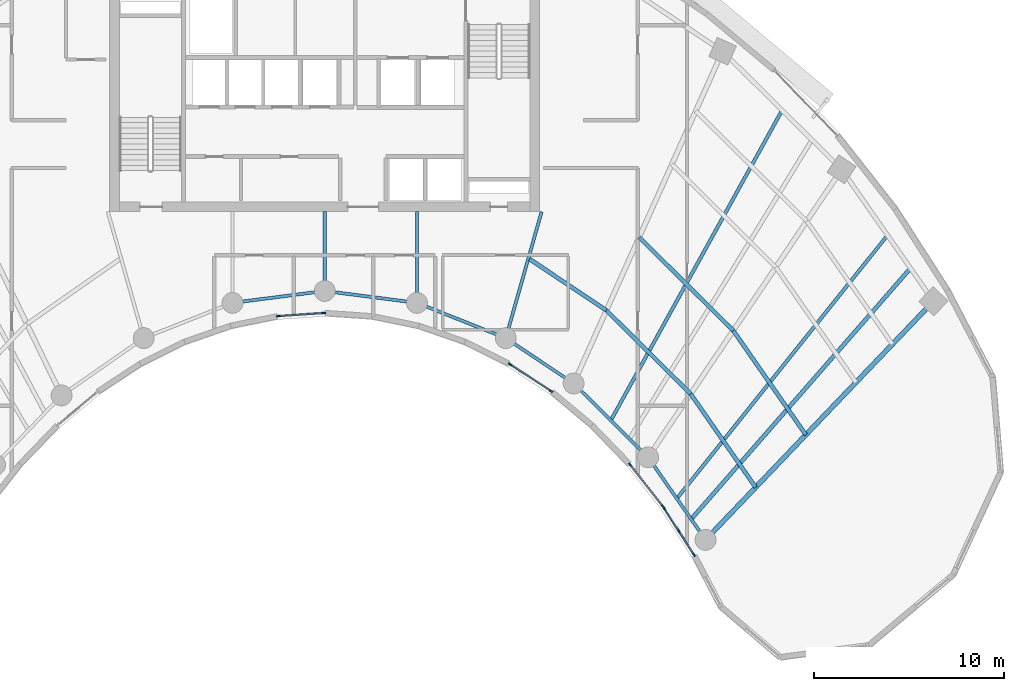
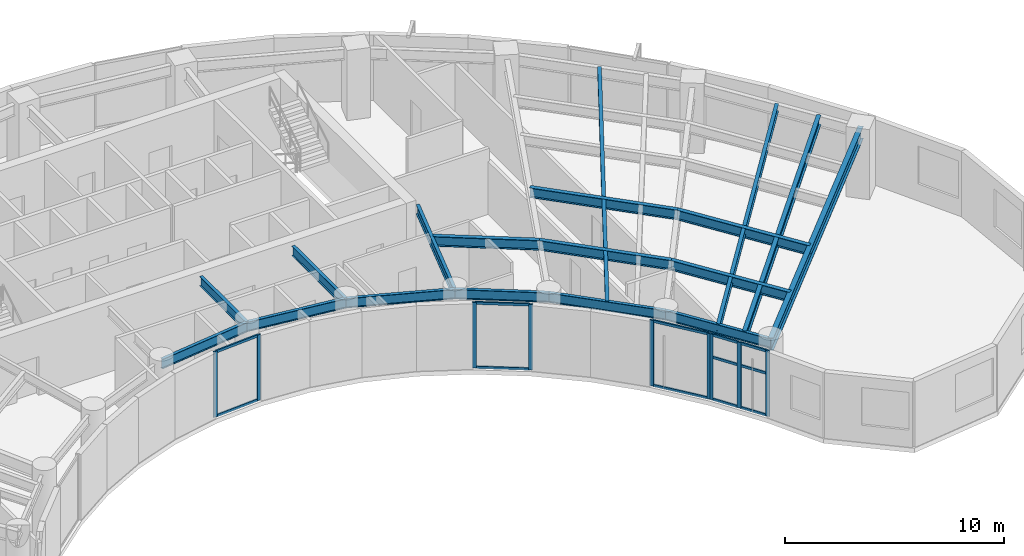
# One storey, part 3 of 13: 21 members, 18 beams, 4 elements without a shape of their own.
"""IFC4 building model written with IfcOpenShell, lengths in metres."""

from ifc_helpers import new_model, si_unit, direction, frame, origin, origin_2d, place, context, subcontext, project, spatial, rectangle, i_section, extrude, source, transform, mapped, material, layer, layer_set, material_profile, profile_set, type_object, type_shapes, element, aggregate, save


model = new_model("IFC4")

# Units and contexts
model_context = context("Model", 3, precision=1e-05, world=origin(), true_north=direction((0.0, 1.0)))
body_context = subcontext(model_context, "Body", "Model", "MODEL_VIEW")
ifc_project = project(units=[si_unit("LENGTHUNIT", "METRE"), si_unit("AREAUNIT", "SQUARE_METRE"), si_unit("VOLUMEUNIT", "CUBIC_METRE"), si_unit("PLANEANGLEUNIT", "RADIAN"), si_unit("MASSUNIT", "GRAM", prefix="KILO")], contexts=[model_context])

# Site, building, storey
site_placement = place(None, origin())
site = spatial("IfcSite", under=ifc_project, at=site_placement, CompositionType="ELEMENT")
building_placement = place(site_placement, origin())
building = spatial("IfcBuilding", under=site, at=building_placement, Name="Breltana Convention Tower", CompositionType="ELEMENT")
storey_placement = place(building_placement, frame((0.0, 0.0, 170.10009765625)))
storey = spatial("IfcBuildingStorey", under=building, at=storey_placement, Name="L41", CompositionType="ELEMENT", Elevation=170.10009765625)

# Beams
ifc_material_1 = material(Name="Steel ASTM A992 Grade 50", Category="steel")
ifc_material_profile_1 = material_profile(ifc_material_1, i_section(OverallWidth=0.179931640625, OverallDepth=0.4130859375, WebThickness=0.009765625, FlangeThickness=0.01611328125, at=origin_2d()), Name="W16X50")
ifc_profile_set_1 = profile_set([ifc_material_profile_1], Name="Steel ASTM A992 Grade 50")
beam_type_1 = type_object("IfcBeamType", Name="BM-JSG-08", PredefinedType="JOIST", material=ifc_profile_set_1)
shared_shape_1 = source(origin(), body_context, "Body", "SweptSolid", [
    extrude(i_section(OverallWidth=0.179931640625, OverallDepth=0.4130859375, WebThickness=0.009765625, FlangeThickness=0.01611328125, at=origin_2d()), origin(), (0.0, 0.0, 1.0), 18.617431640625),
])
beam_1_placement = place(storey_placement, frame((63.038818359375, 49.234130859375, 3.443359375), z_axis=(0.483405602507, 0.875396495004, 0.0), x_axis=(-0.875396495004, 0.483405602507, 0.0)))
element("IfcBeam", 1, at=beam_1_placement, inside=storey, type_object=beam_type_1, Name="L41 Mid-Bay Radial Trimmer 09", PredefinedType="JOIST", context=body_context, shape_type="MappedRepresentation", body=[
    mapped(shared_shape_1, transform((0.0, 0.0, 0.0), scale=1.0)),
])
shared_shape_2 = source(origin(), body_context, "Body", "SweptSolid", [
    extrude(i_section(OverallWidth=0.179931640625, OverallDepth=0.4130859375, WebThickness=0.009765625, FlangeThickness=0.01611328125, at=origin_2d()), origin(), (0.0, 0.0, 1.0), 17.7236328125),
])
beam_2_placement = place(storey_placement, frame((66.505615234375, 45.124267578125, 3.443359375), z_axis=(0.624829427563, 0.78076128647, 0.0), x_axis=(-0.78076128647, 0.624829427563, 0.0)))
element("IfcBeam", 2, at=beam_2_placement, inside=storey, type_object=beam_type_1, Name="L41 Mid-Bay Radial Trimmer 10", PredefinedType="JOIST", context=body_context, shape_type="MappedRepresentation", body=[
    mapped(shared_shape_2, transform((0.0, 0.0, 0.0), scale=1.0)),
])
ifc_material_profile_2 = material_profile(ifc_material_1, i_section(OverallWidth=0.214111328125, OverallDepth=0.549072265625, WebThickness=0.0146484375, FlangeThickness=0.023681640625, at=origin_2d()), Name="W21X93")
ifc_profile_set_2 = profile_set([ifc_material_profile_2], Name="Steel ASTM A992 Grade 50")
beam_type_2 = type_object("IfcBeamType", Name="BM-JSG-03", PredefinedType="JOIST", material=ifc_profile_set_2)
shared_shape_3 = source(origin(), body_context, "Body", "SweptSolid", [
    extrude(i_section(OverallWidth=0.214111328125, OverallDepth=0.549072265625, WebThickness=0.0146484375, FlangeThickness=0.023681640625, at=origin_2d()), origin(), (0.0, 0.0, 1.0), 17.515625),
])
beam_3_placement = place(storey_placement, frame((67.260498046875, 44.03955078125, 3.37548828125), z_axis=(0.658051548324, 0.752972881151, 0.0), x_axis=(-0.752972881151, 0.658051548324, 0.0)))
element("IfcBeam", 3, at=beam_3_placement, inside=storey, type_object=beam_type_2, Name="L41 Quarter-Bay Radial Trimmer 10", PredefinedType="JOIST", context=body_context, shape_type="MappedRepresentation", body=[
    mapped(shared_shape_3, transform((0.0, 0.0, 0.0), scale=1.0)),
])
shared_shape_4 = source(origin(), body_context, "Body", "SweptSolid", [
    extrude(i_section(OverallWidth=0.214111328125, OverallDepth=0.549072265625, WebThickness=0.0146484375, FlangeThickness=0.023681640625, at=origin_2d()), origin(), (0.0, 0.0, 1.0), 4.854736328125),
])
beam_4_placement = place(storey_placement, frame((58.767578125, 57.71240234375, 3.37548828125), z_axis=(0.831485074305, -0.555547091801, 0.0), x_axis=(0.555547091801, 0.831485074305, 0.0)))
element("IfcBeam", 4, at=beam_4_placement, inside=storey, type_object=beam_type_2, Name="L41 Composite Floor Joist 08.1", PredefinedType="JOIST", context=body_context, shape_type="MappedRepresentation", body=[
    mapped(shared_shape_4, transform((0.0, 0.0, 0.0), scale=1.0)),
])
shared_shape_5 = source(origin(), body_context, "Body", "SweptSolid", [
    extrude(i_section(OverallWidth=0.214111328125, OverallDepth=0.549072265625, WebThickness=0.0146484375, FlangeThickness=0.023681640625, at=origin_2d()), origin(), (0.0, 0.0, 1.0), 6.2373046875),
])
beam_5_placement = place(storey_placement, frame((62.80419921875, 55.015380859375, 3.37548828125), z_axis=(0.710114292485, -0.704086423394, 0.0), x_axis=(0.704086423394, 0.710114292485, 0.0)))
element("IfcBeam", 5, at=beam_5_placement, inside=storey, type_object=beam_type_2, Name="L41 Composite Floor Joist 09.1", PredefinedType="JOIST", context=body_context, shape_type="MappedRepresentation", body=[
    mapped(shared_shape_5, transform((0.0, 0.0, 0.0), scale=1.0)),
])
shared_shape_6 = source(origin(), body_context, "Body", "SweptSolid", [
    extrude(i_section(OverallWidth=0.214111328125, OverallDepth=0.549072265625, WebThickness=0.0146484375, FlangeThickness=0.023681640625, at=origin_2d()), origin(), (0.0, 0.0, 1.0), 6.963134765625),
])
beam_6_placement = place(storey_placement, frame((64.526611328125, 58.8564453125, 3.37548828125), z_axis=(0.71009817493, -0.704102678564, 0.0), x_axis=(0.704102678564, 0.71009817493, 0.0)))
element("IfcBeam", 6, at=beam_6_placement, inside=storey, type_object=beam_type_2, Name="L41 Composite Floor Joist 09.2", PredefinedType="JOIST", context=body_context, shape_type="MappedRepresentation", body=[
    mapped(shared_shape_6, transform((0.0, 0.0, 0.0), scale=1.0)),
])
shared_shape_7 = source(origin(), body_context, "Body", "SweptSolid", [
    extrude(i_section(OverallWidth=0.214111328125, OverallDepth=0.549072265625, WebThickness=0.0146484375, FlangeThickness=0.023681640625, at=origin_2d()), origin(), (0.0, 0.0, 1.0), 5.982421875),
])
beam_7_placement = place(storey_placement, frame((67.2333984375, 50.623779296875, 3.37548828125), z_axis=(0.571211549446, -0.82080287876, 0.0), x_axis=(0.82080287876, 0.571211549446, 0.0)))
element("IfcBeam", 7, at=beam_7_placement, inside=storey, type_object=beam_type_2, Name="L41 Composite Floor Joist 10.1", PredefinedType="JOIST", context=body_context, shape_type="MappedRepresentation", body=[
    mapped(shared_shape_7, transform((0.0, 0.0, 0.0), scale=1.0)),
])
shared_shape_8 = source(origin(), body_context, "Body", "SweptSolid", [
    extrude(i_section(OverallWidth=0.214111328125, OverallDepth=0.549072265625, WebThickness=0.0146484375, FlangeThickness=0.023681640625, at=origin_2d()), origin(), (0.0, 0.0, 1.0), 6.677978515625),
])
beam_8_placement = place(storey_placement, frame((69.47119140625, 53.95361328125, 3.37548828125), z_axis=(0.571193018768, -0.820815774282, 0.0), x_axis=(0.820815774282, 0.571193018768, 0.0)))
element("IfcBeam", 8, at=beam_8_placement, inside=storey, type_object=beam_type_2, Name="L41 Composite Floor Joist 10.2", PredefinedType="JOIST", context=body_context, shape_type="MappedRepresentation", body=[
    mapped(shared_shape_8, transform((0.0, 0.0, 0.0), scale=1.0)),
])
ifc_material_profile_3 = material_profile(ifc_material_1, i_section(OverallWidth=0.25390625, OverallDepth=0.68798828125, WebThickness=0.01318359375, FlangeThickness=0.02099609375, at=origin_2d()), Name="W27X102")
ifc_profile_set_3 = profile_set([ifc_material_profile_3], Name="Steel ASTM A992 Grade 50")
beam_type_3 = type_object("IfcBeamType", Name="BM-RG-W27X102", PredefinedType="USERDEFINED", material=ifc_profile_set_3)
shared_shape_9 = source(origin(), body_context, "Body", "SweptSolid", [
    extrude(i_section(OverallWidth=0.25390625, OverallDepth=0.68798828125, WebThickness=0.01318359375, FlangeThickness=0.02099609375, at=origin_2d()), origin(), (0.0, 0.0, 1.0), 17.341064453125),
])
type_shapes(beam_type_3, [shared_shape_9])
beam_9_placement = place(storey_placement, frame((68.015380859375, 42.95458984375, 3.305908203125), z_axis=(0.690716462293, 0.723125693581, 0.0), x_axis=(-0.723125693581, 0.690716462293, 0.0)))
element("IfcBeam", 9, at=beam_9_placement, inside=storey, type_object=beam_type_3, Name="L41 Radial Floor Girder R11", ObjectType="GIRDER", PredefinedType="USERDEFINED", context=body_context, shape_type="MappedRepresentation", body=[
    mapped(shared_shape_9, transform((0.0, 0.0, 0.0), scale=1.0)),
])
ifc_material_profile_4 = material_profile(ifc_material_1, i_section(OverallWidth=0.166015625, OverallDepth=0.534912109375, WebThickness=0.01025390625, FlangeThickness=0.0166015625, at=origin_2d()), Name="W21X57")
ifc_profile_set_4 = profile_set([ifc_material_profile_4], Name="Steel ASTM A992 Grade 50")
beam_type_4 = type_object("IfcBeamType", Name="BM-BM-W21X57", PredefinedType="BEAM", material=ifc_profile_set_4)
shared_shape_10 = source(origin(), body_context, "Body", "SweptSolid", [
    extrude(i_section(OverallWidth=0.166015625, OverallDepth=0.534912109375, WebThickness=0.01025390625, FlangeThickness=0.0166015625, at=origin_2d()), origin(), (0.0, 0.0, 1.0), 6.904541015625),
])
type_shapes(beam_type_4, [shared_shape_10])
beam_10_placement = place(storey_placement, frame((59.39990234375, 60.199951171875, 3.38232421875), z_axis=(-0.273006781054, -0.962012108811, 0.0), x_axis=(0.962012108811, -0.273006781054, 0.0)))
element("IfcBeam", 10, at=beam_10_placement, inside=storey, type_object=beam_type_4, Name="L41 South Core Tie Girder R08", PredefinedType="BEAM", context=body_context, shape_type="MappedRepresentation", body=[
    mapped(shared_shape_10, transform((0.0, 0.0, 0.0), scale=1.0)),
])
shared_shape_11 = source(origin(), body_context, "Body", "SweptSolid", [
    extrude(i_section(OverallWidth=0.166015625, OverallDepth=0.534912109375, WebThickness=0.01025390625, FlangeThickness=0.0166015625, at=origin_2d()), origin(), (0.0, 0.0, 1.0), 4.789306640625),
])
beam_11_placement = place(storey_placement, frame((52.846435546875, 60.199951171875, 3.38232421875), z_axis=(0.0, -1.0, 0.0), x_axis=(1.0, 0.0, 0.0)))
element("IfcBeam", 11, at=beam_11_placement, inside=storey, type_object=beam_type_4, Name="L41 South Core Tie Girder R07", PredefinedType="BEAM", context=body_context, shape_type="MappedRepresentation", body=[
    mapped(shared_shape_11, transform((0.0, 0.0, 0.0), scale=1.0)),
])
shared_shape_12 = source(origin(), body_context, "Body", "SweptSolid", [
    extrude(i_section(OverallWidth=0.166015625, OverallDepth=0.534912109375, WebThickness=0.01025390625, FlangeThickness=0.0166015625, at=origin_2d()), origin(), (0.0, 0.0, 1.0), 4.1640625),
])
beam_12_placement = place(storey_placement, frame((48.0, 60.199951171875, 3.38232421875), z_axis=(0.0, -1.0, 0.0), x_axis=(1.0, 0.0, 0.0)))
element("IfcBeam", 12, at=beam_12_placement, inside=storey, type_object=beam_type_4, Name="L41 South Core Tie Girder R06", PredefinedType="BEAM", context=body_context, shape_type="MappedRepresentation", body=[
    mapped(shared_shape_12, transform((0.0, 0.0, 0.0), scale=1.0)),
])
shared_shape_13 = source(origin(), body_context, "Body", "SweptSolid", [
    extrude(i_section(OverallWidth=0.166015625, OverallDepth=0.534912109375, WebThickness=0.01025390625, FlangeThickness=0.0166015625, at=origin_2d()), origin(), (0.0, 0.0, 1.0), 5.022705078125),
])
beam_13_placement = place(storey_placement, frame((52.846435546875, 55.41064453125, 3.38232421875), z_axis=(0.929458966248, -0.368925507469, 0.0), x_axis=(0.368925507469, 0.929458966248, 0.0)))
element("IfcBeam", 13, at=beam_13_placement, inside=storey, type_object=beam_type_4, Name="L41 Inner Ring Beam 07", PredefinedType="BEAM", context=body_context, shape_type="MappedRepresentation", body=[
    mapped(shared_shape_13, transform((0.0, 0.0, 0.0), scale=1.0)),
])
shared_shape_14 = source(origin(), body_context, "Body", "SweptSolid", [
    extrude(i_section(OverallWidth=0.166015625, OverallDepth=0.534912109375, WebThickness=0.01025390625, FlangeThickness=0.0166015625, at=origin_2d()), origin(), (0.0, 0.0, 1.0), 4.88671875),
])
for number, where, z_axis, x_axis, name in (
    (14, (43.153564453125, 55.41064453125, 3.38232421875), (0.991780525565, 0.127950729231, 0.0), (-0.127950729231, 0.991780525565, 0.0), "L41 Inner Ring Beam 05"),
    (15, (48.0, 56.035888671875, 3.38232421875), (0.991780525565, -0.127950729231, 0.0), (0.127950729231, 0.991780525565, 0.0), "L41 Inner Ring Beam 06"),
):
    element("IfcBeam", number, at=place(storey_placement, frame(where, z_axis=z_axis, x_axis=x_axis)), inside=storey, type_object=beam_type_4, Name=name, PredefinedType="BEAM", context=body_context, shape_type="MappedRepresentation", body=[
        mapped(shared_shape_14, transform((0.0, 0.0, 0.0), scale=1.0)),
    ])
shared_shape_15 = source(origin(), body_context, "Body", "SweptSolid", [
    extrude(i_section(OverallWidth=0.166015625, OverallDepth=0.534912109375, WebThickness=0.01025390625, FlangeThickness=0.0166015625, at=origin_2d()), origin(), (0.0, 0.0, 1.0), 4.2900390625),
])
beam_14_placement = place(storey_placement, frame((57.514892578125, 53.5576171875, 3.38232421875), z_axis=(0.831515827753, -0.555501060482, 0.0), x_axis=(0.555501060482, 0.831515827753, 0.0)))
element("IfcBeam", 16, at=beam_14_placement, inside=storey, type_object=beam_type_4, Name="L41 Inner Ring Beam 08", PredefinedType="BEAM", context=body_context, shape_type="MappedRepresentation", body=[
    mapped(shared_shape_15, transform((0.0, 0.0, 0.0), scale=1.0)),
])
shared_shape_16 = source(origin(), body_context, "Body", "SweptSolid", [
    extrude(i_section(OverallWidth=0.166015625, OverallDepth=0.534912109375, WebThickness=0.01025390625, FlangeThickness=0.0166015625, at=origin_2d()), origin(), (0.0, 0.0, 1.0), 5.51171875),
])
beam_15_placement = place(storey_placement, frame((61.08203125, 51.174560546875, 3.38232421875), z_axis=(0.710090360749, -0.704110559196, 0.0), x_axis=(0.704110559196, 0.710090360749, 0.0)))
element("IfcBeam", 17, at=beam_15_placement, inside=storey, type_object=beam_type_4, Name="L41 Inner Ring Beam 09", PredefinedType="BEAM", context=body_context, shape_type="MappedRepresentation", body=[
    mapped(shared_shape_16, transform((0.0, 0.0, 0.0), scale=1.0)),
])
shared_shape_17 = source(origin(), body_context, "Body", "SweptSolid", [
    extrude(i_section(OverallWidth=0.166015625, OverallDepth=0.534912109375, WebThickness=0.01025390625, FlangeThickness=0.0166015625, at=origin_2d()), origin(), (0.0, 0.0, 1.0), 5.286376953125),
])
beam_16_placement = place(storey_placement, frame((64.995849609375, 47.293701171875, 3.38232421875), z_axis=(0.571194382458, -0.82081482531, 0.0), x_axis=(0.82081482531, 0.571194382458, 0.0)))
element("IfcBeam", 18, at=beam_16_placement, inside=storey, type_object=beam_type_4, Name="L41 Inner Ring Beam 10", PredefinedType="BEAM", context=body_context, shape_type="MappedRepresentation", body=[
    mapped(shared_shape_17, transform((0.0, 0.0, 0.0), scale=1.0)),
])

# Curtain wall, members
ifc_material_2 = material(Name="Aluminium Anodised Bronze Frame", Category="aluminium")
ifc_layer = layer(ifc_material_2, 0.18994140625, Name="Aluminium Anodised Bronze Frame")
ifc_layer_set = layer_set([ifc_layer], Name="Aluminium Anodised Bronze Frame")
curtain_wall_type = type_object("IfcCurtainWallType", Name="CW-SYS-1", PredefinedType="NOTDEFINED", material=ifc_layer_set)
curtain_wall_1_placement = place(storey_placement, origin())
curtain_wall_1 = element("IfcCurtainWall", 19, at=curtain_wall_1_placement, inside=storey, type_object=curtain_wall_type, Name="L41 inner south-court glazing 1", PredefinedType="NOTDEFINED")
ifc_material_3 = material(Name="Aluminium Anodised Bronze", Category="aluminium")
ifc_material_profile_5 = material_profile(ifc_material_3, rectangle(XDim=0.080078125, YDim=0.199951171875, at=origin_2d()), Name="CWM-80X200")
ifc_profile_set_5 = profile_set([ifc_material_profile_5], Name="Aluminium Anodised Bronze")
member_type_1 = type_object("IfcMemberType", Name="CWM-200", PredefinedType="MULLION", material=ifc_profile_set_5)
shared_shape_18 = source(origin(), body_context, "Body", "SweptSolid", [
    extrude(rectangle(XDim=0.080078125, YDim=0.199951171875, at=origin_2d()), origin(), (0.0, 0.0, 1.0), 3.64990234375),
])
member_1_placement = place(storey_placement, frame((67.40966796875, 42.17041015625, 0.0), z_axis=(0.0, 0.0, 1.0), x_axis=(-0.841546744491, -0.540184298954, 0.0)))
member_1 = element("IfcMember", 20, at=member_1_placement, type_object=member_type_1, Name="CW-01 mullion 1", PredefinedType="MULLION", context=body_context, shape_type="MappedRepresentation", body=[
    mapped(shared_shape_18, transform((0.0, 0.0, 0.0), scale=1.0)),
])
member_2_placement = place(storey_placement, frame((66.626220703125, 43.390869140625, 0.0), z_axis=(0.0, 0.0, 1.0), x_axis=(-0.841546744491, -0.540184298954, 0.0)))
member_2 = element("IfcMember", 21, at=member_2_placement, type_object=member_type_1, Name="CW-01 mullion 2", PredefinedType="MULLION", context=body_context, shape_type="MappedRepresentation", body=[
    mapped(shared_shape_18, transform((0.0, 0.0, 0.0), scale=1.0)),
])
member_3_placement = place(storey_placement, frame((65.843017578125, 44.611328125, 0.0), z_axis=(0.0, 0.0, 1.0), x_axis=(-0.841546744491, -0.540184298954, 0.0)))
member_3 = element("IfcMember", 22, at=member_3_placement, type_object=member_type_1, Name="CW-01 mullion 3", PredefinedType="MULLION", context=body_context, shape_type="MappedRepresentation", body=[
    mapped(shared_shape_18, transform((0.0, 0.0, 0.0), scale=1.0)),
])

curtain_wall_2_placement = place(storey_placement, origin())
curtain_wall_2 = element("IfcCurtainWall", 23, at=curtain_wall_2_placement, inside=storey, type_object=curtain_wall_type, Name="L41 inner south-court glazing 2", PredefinedType="NOTDEFINED")
member_4_placement = place(storey_placement, frame((65.78662109375, 44.6904296875, 0.0), z_axis=(0.0, 0.0, 1.0), x_axis=(-0.786051168431, -0.618161435717, 0.0)))
member_4 = element("IfcMember", 24, at=member_4_placement, type_object=member_type_1, Name="CW-01 mullion 1", PredefinedType="MULLION", context=body_context, shape_type="MappedRepresentation", body=[
    mapped(shared_shape_18, transform((0.0, 0.0, 0.0), scale=1.0)),
])
member_5_placement = place(storey_placement, frame((64.045166015625, 46.905029296875, 0.0), z_axis=(0.0, 0.0, 1.0), x_axis=(-0.786051168431, -0.618161435717, 0.0)))
member_5 = element("IfcMember", 25, at=member_5_placement, type_object=member_type_1, Name="CW-01 mullion 2", PredefinedType="MULLION", context=body_context, shape_type="MappedRepresentation", body=[
    mapped(shared_shape_18, transform((0.0, 0.0, 0.0), scale=1.0)),
])

curtain_wall_3_placement = place(storey_placement, origin())
curtain_wall_3 = element("IfcCurtainWall", 26, at=curtain_wall_3_placement, inside=storey, type_object=curtain_wall_type, Name="L41 inner south-court glazing 3", PredefinedType="NOTDEFINED")
member_6_placement = place(storey_placement, frame((59.894775390625, 50.76904296875, 0.0), z_axis=(0.0, 0.0, 1.0), x_axis=(-0.548751973252, -0.835985210307, 0.0)))
member_6 = element("IfcMember", 27, at=member_6_placement, type_object=member_type_1, Name="CW-01 mullion 1", PredefinedType="MULLION", context=body_context, shape_type="MappedRepresentation", body=[
    mapped(shared_shape_18, transform((0.0, 0.0, 0.0), scale=1.0)),
])
member_7_placement = place(storey_placement, frame((57.744384765625, 52.1806640625, 0.0), z_axis=(0.0, 0.0, 1.0), x_axis=(-0.548751973252, -0.835985210307, 0.0)))
member_7 = element("IfcMember", 28, at=member_7_placement, type_object=member_type_1, Name="CW-01 mullion 2", PredefinedType="MULLION", context=body_context, shape_type="MappedRepresentation", body=[
    mapped(shared_shape_18, transform((0.0, 0.0, 0.0), scale=1.0)),
])

curtain_wall_4_placement = place(storey_placement, origin())
curtain_wall_4 = element("IfcCurtainWall", 29, at=curtain_wall_4_placement, inside=storey, type_object=curtain_wall_type, Name="L41 inner south-court glazing 4", PredefinedType="NOTDEFINED")
member_8_placement = place(storey_placement, frame((47.947998046875, 54.872802734375, 0.0), z_axis=(0.0, 0.0, 1.0), x_axis=(0.067732810965, -0.997703496195, 0.0)))
member_8 = element("IfcMember", 30, at=member_8_placement, type_object=member_type_1, Name="CW-01 mullion 1", PredefinedType="MULLION", context=body_context, shape_type="MappedRepresentation", body=[
    mapped(shared_shape_18, transform((0.0, 0.0, 0.0), scale=1.0)),
])
member_9_placement = place(storey_placement, frame((45.56201171875, 54.7109375, 0.0), z_axis=(0.0, 0.0, 1.0), x_axis=(0.067732810965, -0.997703496195, 0.0)))
member_9 = element("IfcMember", 31, at=member_9_placement, type_object=member_type_1, Name="CW-01 mullion 2", PredefinedType="MULLION", context=body_context, shape_type="MappedRepresentation", body=[
    mapped(shared_shape_18, transform((0.0, 0.0, 0.0), scale=1.0)),
])

# Member
ifc_material_profile_6 = material_profile(ifc_material_3, rectangle(XDim=0.080078125, YDim=0.139892578125, at=origin_2d()), Name="CWT-80X140")
ifc_profile_set_6 = profile_set([ifc_material_profile_6], Name="Aluminium Anodised Bronze")
member_type_2 = type_object("IfcMemberType", Name="CWT-140", PredefinedType="USERDEFINED", material=ifc_profile_set_6)
shared_shape_19 = source(origin(), body_context, "Body", "SweptSolid", [
    extrude(rectangle(XDim=0.080078125, YDim=0.139892578125, at=origin_2d()), origin(), (0.0, 0.0, 1.0), 1.3701171875),
])
member_10_placement = place(storey_placement, frame((67.38818359375, 42.2041015625, 0.039794921875), z_axis=(-0.540226175019, 0.841519863, 0.0), x_axis=(-0.841519863, -0.540226175019, 0.0)))
member_10 = element("IfcMember", 32, at=member_10_placement, type_object=member_type_2, Name="CW-01 transom 1.1", ObjectType="TRANSOM", PredefinedType="USERDEFINED", context=body_context, shape_type="MappedRepresentation", body=[
    mapped(shared_shape_19, transform((0.0, 0.0, 0.0), scale=1.0)),
])

member_11_placement = place(storey_placement, frame((67.38818359375, 42.2041015625, 2.372314453125), z_axis=(-0.540226175019, 0.841519863, 0.0), x_axis=(-0.841519863, -0.540226175019, 0.0)))
member_11 = element("IfcMember", 33, at=member_11_placement, type_object=member_type_2, Name="CW-01 transom 1.2", ObjectType="TRANSOM", PredefinedType="USERDEFINED", context=body_context, shape_type="MappedRepresentation", body=[
    mapped(shared_shape_19, transform((0.0, 0.0, 0.0), scale=1.0)),
])

member_12_placement = place(storey_placement, frame((67.38818359375, 42.2041015625, 3.60986328125), z_axis=(-0.540226175019, 0.841519863, 0.0), x_axis=(-0.841519863, -0.540226175019, 0.0)))
member_12 = element("IfcMember", 34, at=member_12_placement, type_object=member_type_2, Name="CW-01 transom 1.3", ObjectType="TRANSOM", PredefinedType="USERDEFINED", context=body_context, shape_type="MappedRepresentation", body=[
    mapped(shared_shape_19, transform((0.0, 0.0, 0.0), scale=1.0)),
])

member_13_placement = place(storey_placement, frame((66.604736328125, 43.424560546875, 0.039794921875), z_axis=(-0.540226175019, 0.841519863, 0.0), x_axis=(-0.841519863, -0.540226175019, 0.0)))
member_13 = element("IfcMember", 35, at=member_13_placement, type_object=member_type_2, Name="CW-01 transom 2.1", ObjectType="TRANSOM", PredefinedType="USERDEFINED", context=body_context, shape_type="MappedRepresentation", body=[
    mapped(shared_shape_19, transform((0.0, 0.0, 0.0), scale=1.0)),
])

member_14_placement = place(storey_placement, frame((66.604736328125, 43.424560546875, 2.372314453125), z_axis=(-0.540226175019, 0.841519863, 0.0), x_axis=(-0.841519863, -0.540226175019, 0.0)))
member_14 = element("IfcMember", 36, at=member_14_placement, type_object=member_type_2, Name="CW-01 transom 2.2", ObjectType="TRANSOM", PredefinedType="USERDEFINED", context=body_context, shape_type="MappedRepresentation", body=[
    mapped(shared_shape_19, transform((0.0, 0.0, 0.0), scale=1.0)),
])

member_15_placement = place(storey_placement, frame((66.604736328125, 43.424560546875, 3.60986328125), z_axis=(-0.540226175019, 0.841519863, 0.0), x_axis=(-0.841519863, -0.540226175019, 0.0)))
member_15 = element("IfcMember", 37, at=member_15_placement, type_object=member_type_2, Name="CW-01 transom 2.3", ObjectType="TRANSOM", PredefinedType="USERDEFINED", context=body_context, shape_type="MappedRepresentation", body=[
    mapped(shared_shape_19, transform((0.0, 0.0, 0.0), scale=1.0)),
])

aggregate(curtain_wall_1, [member_1, member_2, member_3, member_10, member_11, member_12, member_13, member_14, member_15])

shared_shape_20 = source(origin(), body_context, "Body", "SweptSolid", [
    extrude(rectangle(XDim=0.080078125, YDim=0.139892578125, at=origin_2d()), origin(), (0.0, 0.0, 1.0), 2.7373046875),
])
member_16_placement = place(storey_placement, frame((65.761962890625, 44.721923828125, 0.039794921875), z_axis=(-0.618179938224, 0.786036617453, 0.0), x_axis=(-0.786036617453, -0.618179938224, 0.0)))
member_16 = element("IfcMember", 38, at=member_16_placement, type_object=member_type_2, Name="CW-01 transom 1.1", ObjectType="TRANSOM", PredefinedType="USERDEFINED", context=body_context, shape_type="MappedRepresentation", body=[
    mapped(shared_shape_20, transform((0.0, 0.0, 0.0), scale=1.0)),
])

member_17_placement = place(storey_placement, frame((65.761962890625, 44.721923828125, 3.60986328125), z_axis=(-0.618179938224, 0.786036617453, 0.0), x_axis=(-0.786036617453, -0.618179938224, 0.0)))
member_17 = element("IfcMember", 39, at=member_17_placement, type_object=member_type_2, Name="CW-01 transom 1.2", ObjectType="TRANSOM", PredefinedType="USERDEFINED", context=body_context, shape_type="MappedRepresentation", body=[
    mapped(shared_shape_20, transform((0.0, 0.0, 0.0), scale=1.0)),
])

aggregate(curtain_wall_2, [member_4, member_5, member_16, member_17])

shared_shape_21 = source(origin(), body_context, "Body", "SweptSolid", [
    extrude(rectangle(XDim=0.080078125, YDim=0.139892578125, at=origin_2d()), origin(), (0.0, 0.0, 1.0), 2.4921875),
])
member_18_placement = place(storey_placement, frame((59.861328125, 50.791015625, 0.039794921875), z_axis=(-0.83597769484, 0.548763422369, 0.0), x_axis=(-0.548763422369, -0.83597769484, 0.0)))
member_18 = element("IfcMember", 40, at=member_18_placement, type_object=member_type_2, Name="CW-01 transom 1.1", ObjectType="TRANSOM", PredefinedType="USERDEFINED", context=body_context, shape_type="MappedRepresentation", body=[
    mapped(shared_shape_21, transform((0.0, 0.0, 0.0), scale=1.0)),
])

member_19_placement = place(storey_placement, frame((59.861328125, 50.791015625, 3.60986328125), z_axis=(-0.83597769484, 0.548763422369, 0.0), x_axis=(-0.548763422369, -0.83597769484, 0.0)))
member_19 = element("IfcMember", 41, at=member_19_placement, type_object=member_type_2, Name="CW-01 transom 1.2", ObjectType="TRANSOM", PredefinedType="USERDEFINED", context=body_context, shape_type="MappedRepresentation", body=[
    mapped(shared_shape_21, transform((0.0, 0.0, 0.0), scale=1.0)),
])

aggregate(curtain_wall_3, [member_6, member_7, member_18, member_19])

shared_shape_22 = source(origin(), body_context, "Body", "SweptSolid", [
    extrude(rectangle(XDim=0.080078125, YDim=0.139892578125, at=origin_2d()), origin(), (0.0, 0.0, 1.0), 2.3115234375),
])
member_20_placement = place(storey_placement, frame((47.907958984375, 54.8701171875, 0.039794921875), z_axis=(-0.997705471663, -0.067703706049, 0.0), x_axis=(0.067703706049, -0.997705471663, 0.0)))
member_20 = element("IfcMember", 42, at=member_20_placement, type_object=member_type_2, Name="CW-01 transom 1.1", ObjectType="TRANSOM", PredefinedType="USERDEFINED", context=body_context, shape_type="MappedRepresentation", body=[
    mapped(shared_shape_22, transform((0.0, 0.0, 0.0), scale=1.0)),
])

member_21_placement = place(storey_placement, frame((47.907958984375, 54.8701171875, 3.60986328125), z_axis=(-0.997705471663, -0.067703706049, 0.0), x_axis=(0.067703706049, -0.997705471663, 0.0)))
member_21 = element("IfcMember", 43, at=member_21_placement, type_object=member_type_2, Name="CW-01 transom 1.2", ObjectType="TRANSOM", PredefinedType="USERDEFINED", context=body_context, shape_type="MappedRepresentation", body=[
    mapped(shared_shape_22, transform((0.0, 0.0, 0.0), scale=1.0)),
])

aggregate(curtain_wall_4, [member_8, member_9, member_20, member_21])

save(model, "model.ifc")
